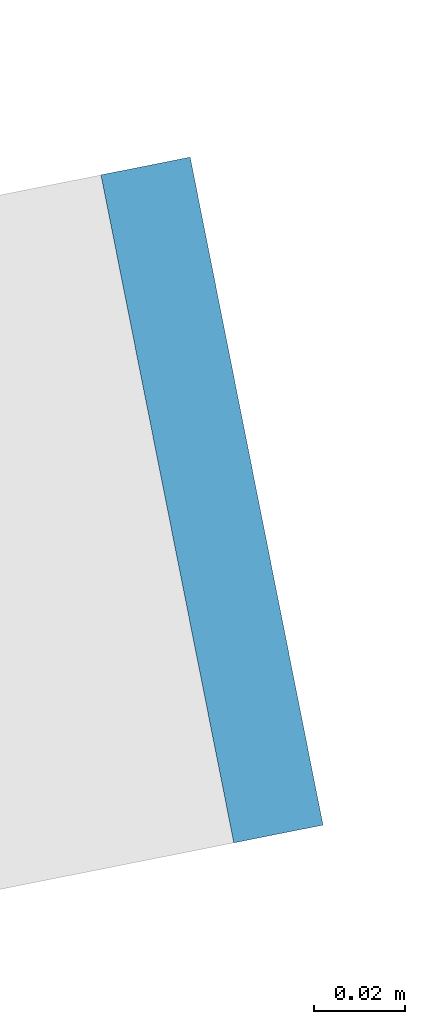
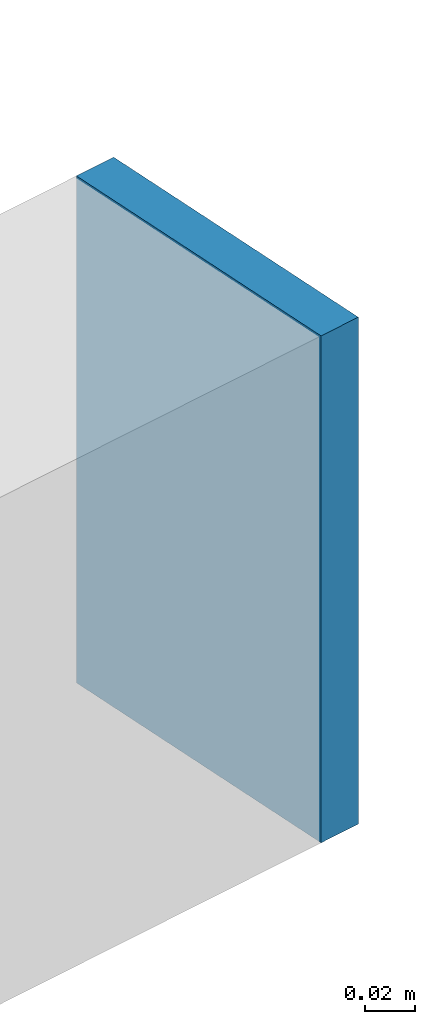
# One storey, part 17 of 23: 1 discrete accessory.
"""IFC4 building model written with IfcOpenShell, lengths in metres."""

import ifcopenshell
import ifcopenshell.guid

model = None  # the IFC model being written
_history = None  # IfcOwnerHistory: only IFC2X3 demands one
_inside = {}  # id of a spatial element -> (the spatial element, [elements in it])
_under = {}  # id of a project, library or spatial element -> (it, [spatial elements below it])
_declared = {}  # id of a project -> (the project, [libraries it declares])
_typed = {}  # id of a type object -> (the type object, [elements of that type])
_made_of = {}  # id of a material, layer set ... -> (it, [elements and type objects made of it])


def new_model(schema):
    """Start an empty IFC model of exactly this schema.

    Asked for "IFC4X3", IfcOpenShell would pick the latest addendum, in which some entities
    have other attributes; the version numbers below select the first issue.
    IFC2X3 requires an IfcOwnerHistory on every rooted entity: one is made here for all.
    """
    global model, _history
    if schema == "IFC4X3":
        model = ifcopenshell.file(schema_version=(4, 3, 0, 0))
    else:
        model = ifcopenshell.file(schema=schema)
    _inside.clear()
    _under.clear()
    _declared.clear()
    _typed.clear()
    _made_of.clear()
    _history = None
    if model.schema == "IFC2X3":
        org = make("IfcOrganization", Name="unknown")
        user = make(
            "IfcPersonAndOrganization",
            ThePerson=make("IfcPerson", FamilyName="unknown"),
            TheOrganization=org,
        )
        app = make(
            "IfcApplication",
            ApplicationDeveloper=org,
            Version="unknown",
            ApplicationFullName="unknown",
            ApplicationIdentifier="unknown",
        )
        _history = make(
            "IfcOwnerHistory",
            OwningUser=user,
            OwningApplication=app,
            ChangeAction="ADDED",
            CreationDate=0,
        )
    return model


def make(cls, **values):
    """One entity of the class cls with the attributes given. An attribute that is None is left unset."""
    return model.create_entity(
        cls, **{name: value for name, value in values.items() if value is not None}
    )


def rooted(cls, **values):
    """An entity with a GlobalId (a new one), such as an element, a storey or a relation."""
    return make(cls, GlobalId=ifcopenshell.guid.new(), OwnerHistory=_history, **values)


def si_unit(unit_type, name, prefix=None):
    """IfcSIUnit, for example si_unit("LENGTHUNIT", "METRE", prefix="MILLI")."""
    return make("IfcSIUnit", UnitType=unit_type, Prefix=prefix, Name=name)


def assignment(units):
    """IfcUnitAssignment: the units of a project."""
    return None if units is None else make("IfcUnitAssignment", Units=units)


def point(xyz):
    """IfcCartesianPoint."""
    return None if xyz is None else make("IfcCartesianPoint", Coordinates=xyz)


def direction(xyz):
    """IfcDirection."""
    return None if xyz is None else make("IfcDirection", DirectionRatios=xyz)


def frame(location, z_axis=None, x_axis=None):
    """IfcAxis2Placement3D, a coordinate frame: its origin and axes. An axis left out is left unset."""
    return make(
        "IfcAxis2Placement3D",
        Location=point(location),
        Axis=direction(z_axis),
        RefDirection=direction(x_axis),
    )


def frame_2d(location, x_axis=None):
    """IfcAxis2Placement2D, a coordinate frame in the plane: its origin and x axis."""
    return make(
        "IfcAxis2Placement2D", Location=point(location), RefDirection=direction(x_axis)
    )


def origin():
    """The frame at (0, 0, 0) with its axes left unset."""
    return frame((0.0, 0.0, 0.0))


def origin_2d():
    """The frame at (0, 0) in the plane with its x axis left unset."""
    return frame_2d((0.0, 0.0))


def place(relative_to, where):
    """IfcLocalPlacement: puts the frame where relative to a parent placement (None: the world)."""
    return make(
        "IfcLocalPlacement", PlacementRelTo=relative_to, RelativePlacement=where
    )


def context(
    kind, dimensions, precision=None, world=None, true_north=None, identifier=None
):
    """IfcGeometricRepresentationContext, for example the 3D "Model" context."""
    return make(
        "IfcGeometricRepresentationContext",
        ContextIdentifier=identifier,
        ContextType=kind,
        CoordinateSpaceDimension=dimensions,
        Precision=precision,
        WorldCoordinateSystem=world,
        TrueNorth=true_north,
    )


def subcontext(parent, identifier, kind, view, scale=None):
    """IfcGeometricRepresentationSubContext, for example "Body" below "Model"."""
    return make(
        "IfcGeometricRepresentationSubContext",
        ContextIdentifier=identifier,
        ContextType=kind,
        ParentContext=parent,
        TargetScale=scale,
        TargetView=view,
    )


def project(units=None, contexts=None):
    """IfcProject with its units and contexts."""
    return rooted(
        "IfcProject",
        Name="project",
        RepresentationContexts=contexts,
        UnitsInContext=assignment(units),
    )


def spatial(cls, under=None, at=None, **own):
    """A site, building, storey or space (cls), placed at a placement, below another one or the project."""
    s = rooted(cls, ObjectPlacement=at, **own)
    if under is not None:
        _under.setdefault(under.id(), (under, []))[1].append(s)
    return s


def profile(cls, at=None, kind="AREA", **sizes):
    """A parametric profile (cls). Its sizes go by their IFC names, for example OverallWidth=200.0."""
    return make(cls, ProfileType=kind, Position=at, **sizes)


def rectangle(**sizes):
    """IfcRectangleProfileDef."""
    return profile("IfcRectangleProfileDef", **sizes)


def extrude(swept, where, along, depth):
    """IfcExtrudedAreaSolid: the profile swept, set in the frame where, extruded along a direction by depth."""
    return make(
        "IfcExtrudedAreaSolid",
        SweptArea=swept,
        Position=where,
        ExtrudedDirection=direction(along),
        Depth=depth,
    )


def shape(context_of_items, identifier, shape_type, items):
    """IfcShapeRepresentation: the items that make up one representation, for example the "Body"."""
    return make(
        "IfcShapeRepresentation",
        ContextOfItems=context_of_items,
        RepresentationIdentifier=identifier,
        RepresentationType=shape_type,
        Items=items,
    )


def material(Name=None, Category=None):
    """IfcMaterial."""
    return make("IfcMaterial", Name=Name, Category=Category)


def layer(
    of_material, thickness, ventilated=None, Name=None, Category=None, Priority=None
):
    """IfcMaterialLayer: one layer of a wall or slab, of a material (None: an air gap)."""
    return make(
        "IfcMaterialLayer",
        Material=of_material,
        LayerThickness=thickness,
        IsVentilated=ventilated,
        Name=Name,
        Category=Category,
        Priority=Priority,
    )


def layer_set(layers, Name=None):
    """IfcMaterialLayerSet."""
    return make("IfcMaterialLayerSet", MaterialLayers=layers, LayerSetName=Name)


def made_of(thing, what):
    """Note that an element or type object is made of a material, layer set ...; save() writes the relation."""
    if what is not None:
        _made_of.setdefault(what.id(), (what, []))[1].append(thing)
    return thing


def type_object(cls, material=None, **own):
    """A type object (cls), such as IfcWallType, which elements share."""
    return made_of(rooted(cls, **own), material)


def element(
    cls,
    number,
    at=None,
    inside=None,
    cuts=None,
    type_object=None,
    material=None,
    context=None,
    identifier="Body",
    shape_type=None,
    held_by="IfcProductDefinitionShape",
    body=None,
    shapes=None,
    **own,
):
    """One element of the class cls, such as IfcWall. Its Tag is "e" and its number.

    at: its placement. inside: the storey or other place that contains it. cuts: it is an
    opening in that element (IfcRelVoidsElement). A single representation is given by context,
    identifier, shape_type and body (its items); several are given by shapes. held_by: the class
    of the entity that holds the representations. save() writes the other relations.
    """
    e = rooted(cls, Tag="e%d" % number, ObjectPlacement=at, **own)
    if body is not None:
        shapes = [shape(context, identifier, shape_type, body)]
    if shapes is not None:
        e.Representation = make(held_by, Representations=shapes)
    if inside is not None:
        _inside.setdefault(inside.id(), (inside, []))[1].append(e)
    if cuts is not None:
        rooted(
            "IfcRelVoidsElement", RelatingBuildingElement=cuts, RelatedOpeningElement=e
        )
    if type_object is not None:
        _typed.setdefault(type_object.id(), (type_object, []))[1].append(e)
    return made_of(e, material)


def aggregate(whole, parts):
    """IfcRelAggregates: a whole, such as a stair, and the parts it consists of."""
    return rooted("IfcRelAggregates", RelatingObject=whole, RelatedObjects=parts)


def save(model, path):
    """Write the relations noted so far, then the file.

    IfcRelAggregates (storeys below a building ...), IfcRelContainedInSpatialStructure (elements
    in a storey), IfcRelDefinesByType, IfcRelAssociatesMaterial and IfcRelDeclares: one each for
    every whole, place, type object, material and project.
    """
    for whole, parts in _under.values():
        aggregate(whole, parts)
    for where, things in _inside.values():
        rooted(
            "IfcRelContainedInSpatialStructure",
            RelatedElements=things,
            RelatingStructure=where,
        )
    for kind, things in _typed.values():
        rooted("IfcRelDefinesByType", RelatedObjects=things, RelatingType=kind)
    for what, things in _made_of.values():
        rooted("IfcRelAssociatesMaterial", RelatedObjects=things, RelatingMaterial=what)
    for by, libraries in _declared.values():
        rooted("IfcRelDeclares", RelatingContext=by, RelatedDefinitions=libraries)
    model.write(path)


model = new_model("IFC4")

# Units and contexts
model_context = context("Model", 3, precision=1e-05, world=origin(), true_north=direction((0.0, 1.0)))
body_context = subcontext(model_context, "Body", "Model", "MODEL_VIEW")
ifc_project = project(units=[si_unit("LENGTHUNIT", "METRE"), si_unit("AREAUNIT", "SQUARE_METRE"), si_unit("VOLUMEUNIT", "CUBIC_METRE"), si_unit("PLANEANGLEUNIT", "RADIAN"), si_unit("MASSUNIT", "GRAM", prefix="KILO")], contexts=[model_context])

# Site, building, storey
site_placement = place(None, origin())
site = spatial("IfcSite", under=ifc_project, at=site_placement, CompositionType="ELEMENT")
building_placement = place(site_placement, origin())
building = spatial("IfcBuilding", under=site, at=building_placement, Name="Siwar Civic Tower", CompositionType="ELEMENT")
storey_placement = place(building_placement, frame((0.0, 0.0, 206.199951171875)))
storey = spatial("IfcBuildingStorey", under=building, at=storey_placement, Name="L44", CompositionType="ELEMENT", Elevation=206.199951171875)

# Discrete accessory
ifc_material = material(Name="Steel S355", Category="steel")
ifc_layer = layer(ifc_material, 0.02001953125)
ifc_layer_set = layer_set([ifc_layer], Name="Steel S355")
discrete_accessory_type = type_object("IfcDiscreteAccessoryType", Name="STR-END-CAP", PredefinedType="USERDEFINED", material=ifc_layer_set)
discrete_accessory_placement = place(storey_placement, frame((28.8251953125, 18.118408203125, -0.39990234375), z_axis=(0.0, 0.0, 1.0), x_axis=(0.980785280444, 0.195090321811, 0.0)))
element("IfcDiscreteAccessory", 1, at=discrete_accessory_placement, inside=storey, type_object=discrete_accessory_type, Name="End cap plate Balcony cantilever beam NE 1", ObjectType="END CAP PLATE", PredefinedType="USERDEFINED", context=body_context, shape_type="SweptSolid", body=[
    extrude(rectangle(XDim=0.02001953125, YDim=0.14990234375, at=origin_2d()), origin(), (0.0, 0.0, 1.0), 0.25),
])

save(model, "model.ifc")
